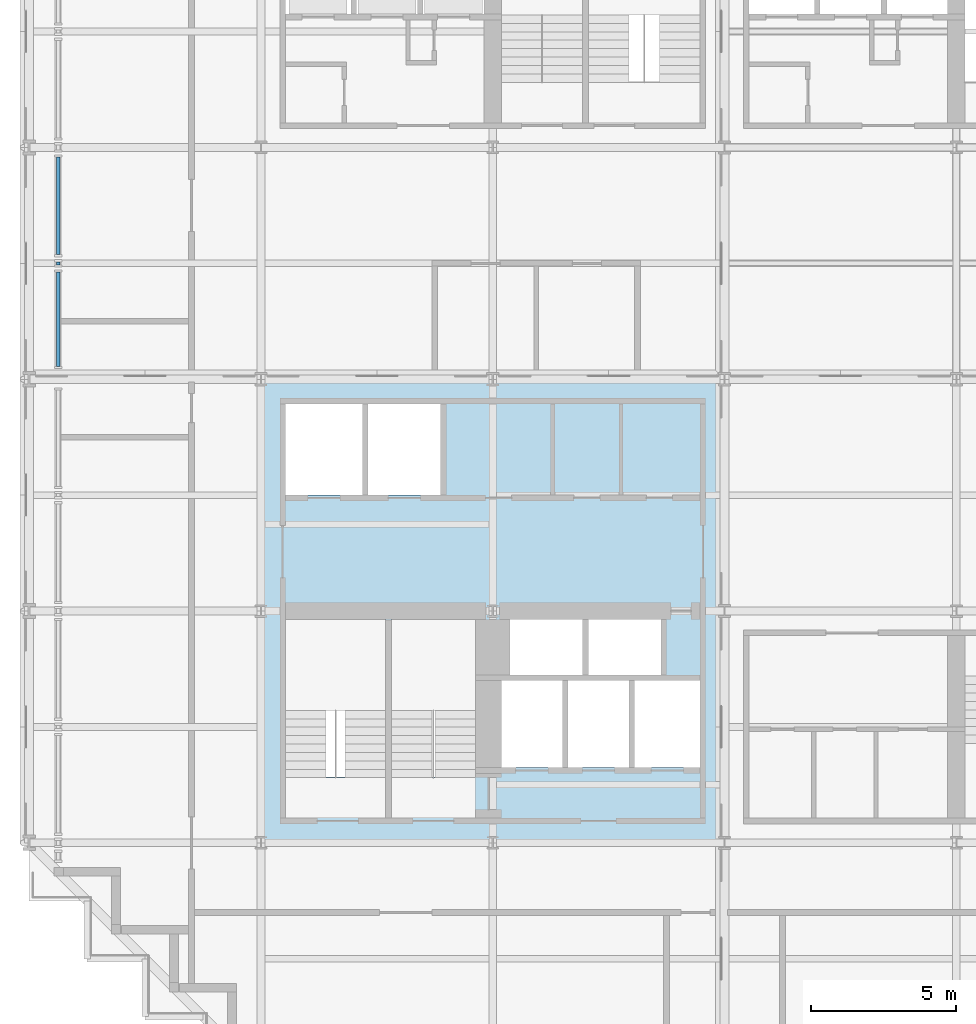
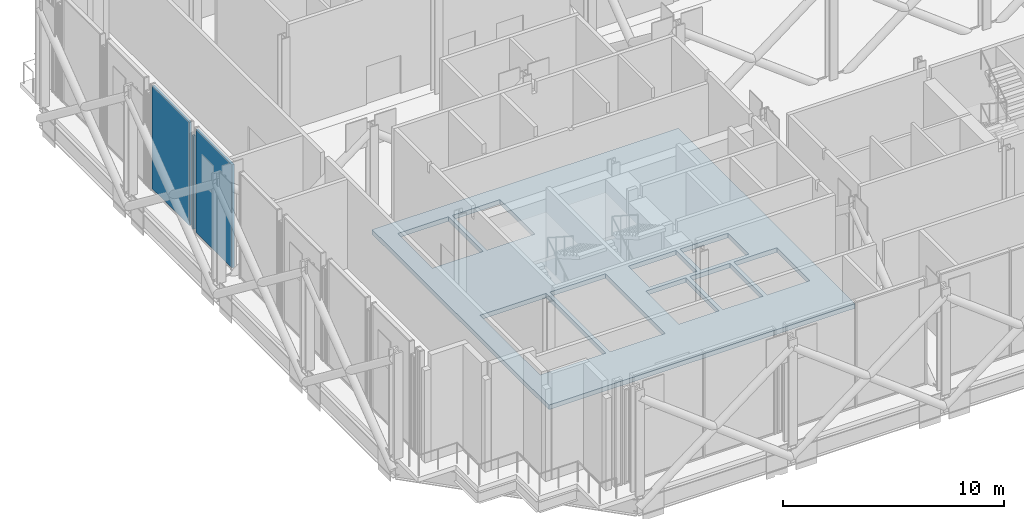
# One storey, part 12 of 25: 3 plates, 1 slab, 3 elements without a shape of their own.
"""IFC4 building model written with IfcOpenShell, lengths in metres."""

from ifc_helpers import new_model, si_unit, direction, frame, origin, origin_2d, place, context, subcontext, project, spatial, polyline, rectangle, outline, extrude, material, layer, layer_set, type_object, element, aggregate, save


model = new_model("IFC4")

# Units and contexts
model_context = context("Model", 3, precision=1e-05, world=origin(), true_north=direction((0.0, 1.0)))
body_context = subcontext(model_context, "Body", "Model", "MODEL_VIEW")
ifc_project = project(units=[si_unit("LENGTHUNIT", "METRE"), si_unit("AREAUNIT", "SQUARE_METRE"), si_unit("VOLUMEUNIT", "CUBIC_METRE"), si_unit("PLANEANGLEUNIT", "RADIAN"), si_unit("MASSUNIT", "GRAM", prefix="KILO")], contexts=[model_context])

# Site, building, storey
site_placement = place(None, origin())
site = spatial("IfcSite", under=ifc_project, at=site_placement, CompositionType="ELEMENT")
building_placement = place(site_placement, origin())
building = spatial("IfcBuilding", under=site, at=building_placement, Name="Immortelle Media Tower", CompositionType="ELEMENT")
storey_placement = place(building_placement, frame((0.0, 0.0, 114.0)))
storey = spatial("IfcBuildingStorey", under=building, at=storey_placement, Name="L22", CompositionType="ELEMENT", Elevation=114.0)

# Slab
ifc_material_1 = material(Name="Concrete C50/60", Category="concrete")
ifc_layer_1 = layer(ifc_material_1, 0.25)
ifc_layer_set_1 = layer_set([ifc_layer_1], Name="Concrete C50/60")
slab_type = type_object("IfcSlabType", Name="Core floor slab 250", PredefinedType="FLOOR", material=ifc_layer_set_1)
slab_placement = place(storey_placement, frame((0.0, 0.0, -0.25)))
element("IfcSlab", 1, at=slab_placement, inside=storey, type_object=slab_type, Name="Core floor SW", PredefinedType="FLOOR", context=body_context, shape_type="SweptSolid", body=[
    extrude(outline(polyline([(8.0, 8.0), (24.0, 8.0), (24.0, 24.0), (8.0, 24.0), (8.0, 8.0)]), holes=[polyline([(8.85009765625, 20.0), (11.5, 20.0), (11.5, 23.14990234375), (8.85009765625, 23.14990234375), (8.85009765625, 20.0)]), polyline([(11.699951171875, 20.0), (14.199951171875, 20.0), (14.199951171875, 23.14990234375), (11.699951171875, 23.14990234375), (11.699951171875, 20.0)]), polyline([(16.60009765625, 13.800048828125), (19.10009765625, 13.800048828125), (19.10009765625, 15.699951171875), (16.60009765625, 15.699951171875), (16.60009765625, 13.800048828125)]), polyline([(19.300048828125, 13.800048828125), (21.800048828125, 13.800048828125), (21.800048828125, 15.699951171875), (19.300048828125, 15.699951171875), (19.300048828125, 13.800048828125)]), polyline([(16.300048828125, 10.60009765625), (18.39990234375, 10.60009765625), (18.39990234375, 13.60009765625), (16.300048828125, 13.60009765625), (16.300048828125, 10.60009765625)]), polyline([(18.60009765625, 10.60009765625), (20.699951171875, 10.60009765625), (20.699951171875, 13.60009765625), (18.60009765625, 13.60009765625), (18.60009765625, 10.60009765625)]), polyline([(20.89990234375, 10.60009765625), (23.14990234375, 10.60009765625), (23.14990234375, 13.60009765625), (20.89990234375, 13.60009765625), (20.89990234375, 10.60009765625)]), polyline([(8.85009765625, 10.27001953125), (12.300048828125, 10.27001953125), (12.300048828125, 15.699951171875), (8.85009765625, 15.699951171875), (8.85009765625, 10.27001953125)]), polyline([(12.5, 10.27001953125), (15.39990234375, 10.27001953125), (15.39990234375, 15.699951171875), (12.5, 15.699951171875), (12.5, 10.27001953125)])]), origin(), (0.0, 0.0, 1.0), 0.25),
])

# Curtain wall, plate
ifc_material_2 = material(Name="Aluminium curtain wall system", Category="aluminium")
curtain_wall_type = type_object("IfcCurtainWallType", Name="Plant louvre wall curtain wall", PredefinedType="NOTDEFINED", material=ifc_material_2)
curtain_wall_1_placement = place(storey_placement, origin())
curtain_wall_1 = element("IfcCurtainWall", 2, at=curtain_wall_1_placement, inside=storey, type_object=curtain_wall_type, Name="Plant louvre wall L22 W 28-8", PredefinedType="NOTDEFINED")
ifc_material_3 = material(Name="Pale aluminium louvre panel", Category="aluminium")
ifc_layer_2 = layer(ifc_material_3, 0.1201171875)
ifc_layer_set_2 = layer_set([ifc_layer_2], Name="Pale aluminium louvre panel")
plate_type = type_object("IfcPlateType", Name="Dust and storm rated louvre panel 120 mm", PredefinedType="CURTAIN_PANEL", material=ifc_layer_set_2)
plate_1_placement = place(storey_placement, frame((1.0, 29.98388671875, 0.080078125), z_axis=(0.0, 0.0, 1.0), x_axis=(0.0, -1.0, 0.0)))
plate_1 = element("IfcPlate", 3, at=plate_1_placement, type_object=plate_type, Name="CW6 panel 1.1", PredefinedType="CURTAIN_PANEL", context=body_context, shape_type="SweptSolid", body=[
    extrude(rectangle(XDim=3.363037109375, YDim=0.1201171875, at=origin_2d()), origin(), (0.0, 0.0, 1.0), 5.689453125),
])
aggregate(curtain_wall_1, [plate_1])

curtain_wall_2_placement = place(storey_placement, origin())
curtain_wall_2 = element("IfcCurtainWall", 4, at=curtain_wall_2_placement, inside=storey, type_object=curtain_wall_type, Name="Plant louvre wall L22 W 28-9", PredefinedType="NOTDEFINED")
plate_2_placement = place(storey_placement, frame((1.0, 28.0, 0.080078125), z_axis=(0.0, 0.0, 1.0), x_axis=(0.0, -1.0, 0.0)))
plate_2 = element("IfcPlate", 5, at=plate_2_placement, type_object=plate_type, Name="CW6 panel 1.1", PredefinedType="CURTAIN_PANEL", context=body_context, shape_type="SweptSolid", body=[
    extrude(rectangle(XDim=0.10498046875, YDim=0.1201171875, at=origin_2d()), origin(), (0.0, 0.0, 1.0), 5.16357421875),
])
aggregate(curtain_wall_2, [plate_2])

curtain_wall_3_placement = place(storey_placement, origin())
curtain_wall_3 = element("IfcCurtainWall", 6, at=curtain_wall_3_placement, inside=storey, type_object=curtain_wall_type, Name="Plant louvre wall L22 W 28-10", PredefinedType="NOTDEFINED")
plate_3_placement = place(storey_placement, frame((1.0, 26.07177734375, 0.080078125), z_axis=(0.0, 0.0, 1.0), x_axis=(0.0, -1.0, 0.0)))
plate_3 = element("IfcPlate", 7, at=plate_3_placement, type_object=plate_type, Name="CW6 panel 1.1", PredefinedType="CURTAIN_PANEL", context=body_context, shape_type="SweptSolid", body=[
    extrude(rectangle(XDim=3.25146484375, YDim=0.1201171875, at=origin_2d()), origin(), (0.0, 0.0, 1.0), 5.689453125),
])
aggregate(curtain_wall_3, [plate_3])

save(model, "model.ifc")
